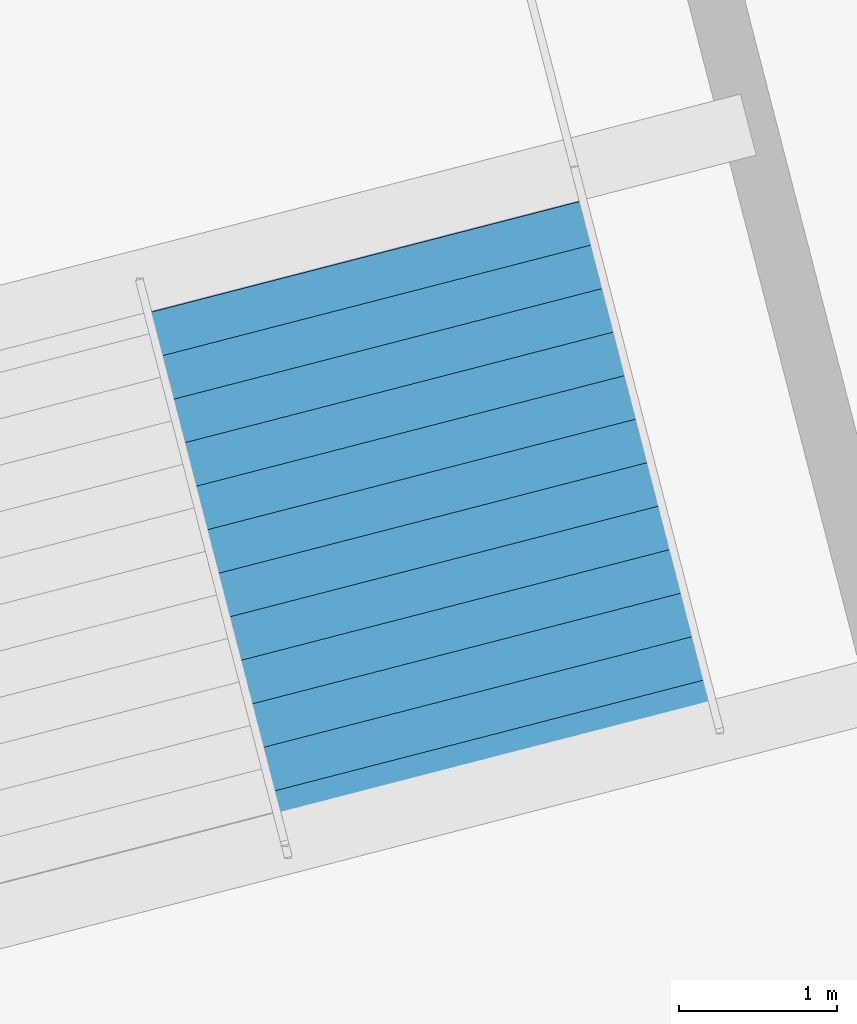
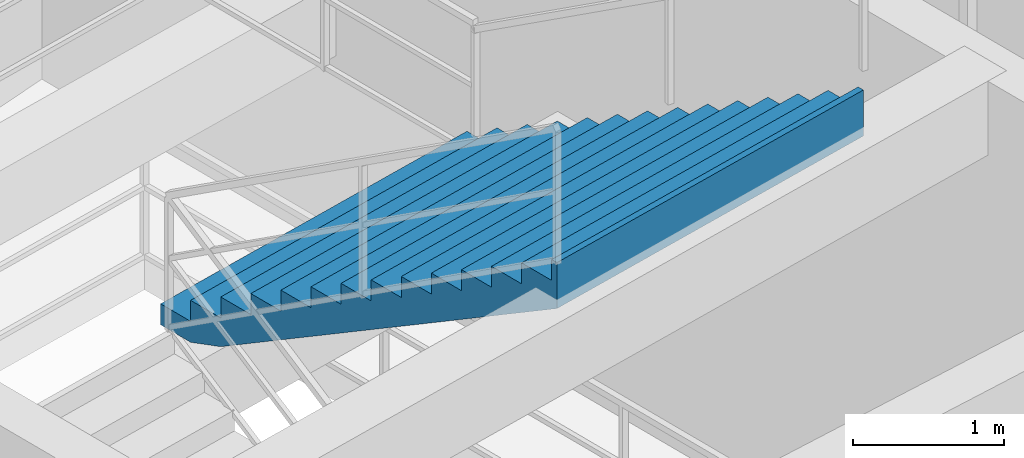
# One storey, part 153 of 171: 1 stair flight, 1 element without a shape of its own.
"""IFC4 building model written with IfcOpenShell, lengths in metres."""

from ifc_helpers import new_model, si_unit, direction, frame, origin, place, context, subcontext, project, spatial, polygons, material, type_object, element, aggregate, save


model = new_model("IFC4")

# Units and contexts
model_context = context("Model", 3, precision=1e-05, world=origin(), true_north=direction((0.0, 1.0)))
body_context = subcontext(model_context, "Body", "Model", "MODEL_VIEW")
ifc_project = project(units=[si_unit("LENGTHUNIT", "METRE"), si_unit("AREAUNIT", "SQUARE_METRE"), si_unit("VOLUMEUNIT", "CUBIC_METRE"), si_unit("PLANEANGLEUNIT", "RADIAN"), si_unit("MASSUNIT", "GRAM", prefix="KILO")], contexts=[model_context])

# Site, building, storey
site_placement = place(None, origin())
site = spatial("IfcSite", under=ifc_project, at=site_placement, CompositionType="ELEMENT")
building_placement = place(site_placement, origin())
building = spatial("IfcBuilding", under=site, at=building_placement, Name="Kazemori Nagisa Stadium", CompositionType="ELEMENT")
storey_placement = place(building_placement, frame((0.0, 0.0, 15.639892578125)))
storey = spatial("IfcBuildingStorey", under=building, at=storey_placement, Name="L03", CompositionType="ELEMENT", Elevation=15.639892578125)

# Stair, stair flight
ifc_material = material(Name="Concrete C36/45 (Fc36)", Category="concrete")
stair_type = type_object("IfcStairType", Name="Stair_CORE_28", PredefinedType="TWO_STRAIGHT_RUN_STAIR", material=ifc_material)
stair_placement = place(storey_placement, origin())
stair = element("IfcStair", 1, at=stair_placement, inside=storey, type_object=stair_type, Name="Exit stair ST07 L03", PredefinedType="TWO_STRAIGHT_RUN_STAIR")
stair_flight_type = type_object("IfcStairFlightType", Name="Flight_CORE_14", PredefinedType="STRAIGHT", material=ifc_material)
stair_flight_placement = place(storey_placement, frame((209.734130859375, 127.345703125, 2.380126953125), z_axis=(0.0, 0.0, 1.0), x_axis=(0.250001576145, -0.968245429592, 0.0)))
stair_flight = element("IfcStairFlight", 2, at=stair_flight_placement, type_object=stair_flight_type, Name="Exit stair ST07 L03 flight 2", NumberOfRisers=14, NumberOfTreads=13, PredefinedType="STRAIGHT", RiserHeight=0.17, TreadLength=0.285, context=body_context, shape_type="Tessellation", body=[
    polygons([(0.0, -1.425048828125, 0.0), (0.0, -1.425048828125, 0.169921875), (0.284912109375, -1.425048828125, 0.169921875), (0.284912109375, -1.425048828125, 0.340087890625), (0.570068359375, -1.425048828125, 0.340087890625), (0.570068359375, -1.425048828125, 0.510009765625), (0.85498046875, -1.425048828125, 0.510009765625), (0.85498046875, -1.425048828125, 0.679931640625), (1.139892578125, -1.425048828125, 0.679931640625), (1.139892578125, -1.425048828125, 0.85009765625), (1.425048828125, -1.425048828125, 0.85009765625), (1.425048828125, -1.425048828125, 1.02001953125), (1.7099609375, -1.425048828125, 1.02001953125), (1.7099609375, -1.425048828125, 1.18994140625), (1.9951171875, -1.425048828125, 1.18994140625), (1.9951171875, -1.425048828125, 1.360107421875), (2.280029296875, -1.425048828125, 1.360107421875), (2.280029296875, -1.425048828125, 1.530029296875), (2.56494140625, -1.425048828125, 1.530029296875), (2.56494140625, -1.425048828125, 1.699951171875), (2.85009765625, -1.425048828125, 1.699951171875), (2.85009765625, -1.425048828125, 1.8701171875), (3.135009765625, -1.425048828125, 1.8701171875), (3.135009765625, -1.425048828125, 2.0400390625), (3.419921875, -1.425048828125, 2.0400390625), (3.419921875, -1.425048828125, 2.2099609375), (3.705078125, -1.425048828125, 2.2099609375), (3.705078125, -1.425048828125, 2.3798828125), (3.7548828125, -1.425048828125, 2.3798828125), (3.7548828125, -1.425048828125, 2.007080078125), (3.705078125, -1.425048828125, 1.977294921875), (3.419921875, -1.425048828125, 1.80712890625), (3.135009765625, -1.425048828125, 1.63720703125), (2.85009765625, -1.425048828125, 1.46728515625), (2.56494140625, -1.425048828125, 1.297119140625), (2.280029296875, -1.425048828125, 1.127197265625), (1.9951171875, -1.425048828125, 0.957275390625), (1.7099609375, -1.425048828125, 0.787109375), (1.425048828125, -1.425048828125, 0.6171875), (1.139892578125, -1.425048828125, 0.447265625), (0.85498046875, -1.425048828125, 0.277099609375), (0.570068359375, -1.425048828125, 0.107177734375), (0.284912109375, -1.425048828125, 0.0), (0.0, -0.08544921875, 0.0), (0.0, -0.08544921875, 0.169921875), (0.284912109375, -0.08544921875, 0.169921875), (0.284912109375, -0.08544921875, 0.340087890625), (0.570068359375, -0.08544921875, 0.340087890625), (0.570068359375, -0.08544921875, 0.510009765625), (0.85498046875, -0.08544921875, 0.510009765625), (0.85498046875, -0.08544921875, 0.679931640625), (1.139892578125, -0.08544921875, 0.679931640625), (1.139892578125, -0.08544921875, 0.85009765625), (1.425048828125, -0.08544921875, 0.85009765625), (1.425048828125, -0.08544921875, 1.02001953125), (1.7099609375, -0.08544921875, 1.02001953125), (1.7099609375, -0.08544921875, 1.18994140625), (1.9951171875, -0.08544921875, 1.18994140625), (1.9951171875, -0.08544921875, 1.360107421875), (2.280029296875, -0.08544921875, 1.360107421875), (2.280029296875, -0.08544921875, 1.530029296875), (2.56494140625, -0.08544921875, 1.530029296875), (2.56494140625, -0.08544921875, 1.699951171875), (2.85009765625, -0.08544921875, 1.699951171875), (2.85009765625, -0.08544921875, 1.8701171875), (3.135009765625, -0.08544921875, 1.8701171875), (3.135009765625, -0.08544921875, 2.0400390625), (3.419921875, -0.08544921875, 2.0400390625), (3.419921875, -0.08544921875, 2.2099609375), (3.705078125, -0.08544921875, 2.2099609375), (3.705078125, -0.08544921875, 2.3798828125), (3.7548828125, -0.08544921875, 2.3798828125), (3.7548828125, -0.08544921875, 2.007080078125), (3.705078125, -0.08544921875, 1.977294921875), (3.419921875, -0.08544921875, 1.80712890625), (3.135009765625, -0.08544921875, 1.63720703125), (2.85009765625, -0.08544921875, 1.46728515625), (2.56494140625, -0.08544921875, 1.297119140625), (2.280029296875, -0.08544921875, 1.127197265625), (1.9951171875, -0.08544921875, 0.957275390625), (1.7099609375, -0.08544921875, 0.787109375), (1.425048828125, -0.08544921875, 0.6171875), (1.139892578125, -0.08544921875, 0.447265625), (0.85498046875, -0.08544921875, 0.277099609375), (0.570068359375, -0.08544921875, 0.107177734375), (0.284912109375, -0.08544921875, 0.0), (0.0, 0.0, 0.0), (0.0, 0.0, 0.169921875), (0.284912109375, 0.0, 0.169921875), (0.284912109375, 0.0, 0.340087890625), (0.570068359375, 0.0, 0.340087890625), (0.570068359375, 0.0, 0.510009765625), (0.85498046875, 0.0, 0.510009765625), (0.85498046875, 0.0, 0.679931640625), (1.139892578125, 0.0, 0.679931640625), (1.139892578125, 0.0, 0.85009765625), (1.425048828125, 0.0, 0.85009765625), (1.425048828125, 0.0, 1.02001953125), (1.7099609375, 0.0, 1.02001953125), (1.7099609375, 0.0, 1.18994140625), (1.9951171875, 0.0, 1.18994140625), (1.9951171875, 0.0, 1.360107421875), (2.280029296875, 0.0, 1.360107421875), (2.280029296875, 0.0, 1.530029296875), (2.56494140625, 0.0, 1.530029296875), (2.56494140625, 0.0, 1.699951171875), (2.85009765625, 0.0, 1.699951171875), (2.85009765625, 0.0, 1.8701171875), (3.135009765625, 0.0, 1.8701171875), (3.135009765625, 0.0, 2.0400390625), (3.419921875, 0.0, 2.0400390625), (3.419921875, 0.0, 2.2099609375), (3.705078125, 0.0, 2.2099609375), (3.705078125, 0.0, 2.3798828125), (3.7548828125, 0.0, 2.3798828125), (3.7548828125, 0.0, 2.007080078125), (3.705078125, 0.0, 1.977294921875), (3.419921875, 0.0, 1.80712890625), (3.135009765625, 0.0, 1.63720703125), (2.85009765625, 0.0, 1.46728515625), (2.56494140625, 0.0, 1.297119140625), (2.280029296875, 0.0, 1.127197265625), (1.9951171875, 0.0, 0.957275390625), (1.7099609375, 0.0, 0.787109375), (1.425048828125, 0.0, 0.6171875), (1.139892578125, 0.0, 0.447265625), (0.85498046875, 0.0, 0.277099609375), (0.570068359375, 0.0, 0.107177734375), (0.284912109375, 0.0, 0.0), (0.0, 0.08544921875, 0.0), (0.0, 0.08544921875, 0.169921875), (0.284912109375, 0.08544921875, 0.169921875), (0.284912109375, 0.08544921875, 0.340087890625), (0.570068359375, 0.08544921875, 0.340087890625), (0.570068359375, 0.08544921875, 0.510009765625), (0.85498046875, 0.08544921875, 0.510009765625), (0.85498046875, 0.08544921875, 0.679931640625), (1.139892578125, 0.08544921875, 0.679931640625), (1.139892578125, 0.08544921875, 0.85009765625), (1.425048828125, 0.08544921875, 0.85009765625), (1.425048828125, 0.08544921875, 1.02001953125), (1.7099609375, 0.08544921875, 1.02001953125), (1.7099609375, 0.08544921875, 1.18994140625), (1.9951171875, 0.08544921875, 1.18994140625), (1.9951171875, 0.08544921875, 1.360107421875), (2.280029296875, 0.08544921875, 1.360107421875), (2.280029296875, 0.08544921875, 1.530029296875), (2.56494140625, 0.08544921875, 1.530029296875), (2.56494140625, 0.08544921875, 1.699951171875), (2.85009765625, 0.08544921875, 1.699951171875), (2.85009765625, 0.08544921875, 1.8701171875), (3.135009765625, 0.08544921875, 1.8701171875), (3.135009765625, 0.08544921875, 2.0400390625), (3.419921875, 0.08544921875, 2.0400390625), (3.419921875, 0.08544921875, 2.2099609375), (3.705078125, 0.08544921875, 2.2099609375), (3.705078125, 0.08544921875, 2.3798828125), (3.7548828125, 0.08544921875, 2.3798828125), (3.7548828125, 0.08544921875, 2.007080078125), (3.705078125, 0.08544921875, 1.977294921875), (3.419921875, 0.08544921875, 1.80712890625), (3.135009765625, 0.08544921875, 1.63720703125), (2.85009765625, 0.08544921875, 1.46728515625), (2.56494140625, 0.08544921875, 1.297119140625), (2.280029296875, 0.08544921875, 1.127197265625), (1.9951171875, 0.08544921875, 0.957275390625), (1.7099609375, 0.08544921875, 0.787109375), (1.425048828125, 0.08544921875, 0.6171875), (1.139892578125, 0.08544921875, 0.447265625), (0.85498046875, 0.08544921875, 0.277099609375), (0.570068359375, 0.08544921875, 0.107177734375), (0.284912109375, 0.08544921875, 0.0), (0.0, 1.425048828125, 0.0), (0.0, 1.425048828125, 0.169921875), (0.284912109375, 1.425048828125, 0.169921875), (0.284912109375, 1.425048828125, 0.340087890625), (0.570068359375, 1.425048828125, 0.340087890625), (0.570068359375, 1.425048828125, 0.510009765625), (0.85498046875, 1.425048828125, 0.510009765625), (0.85498046875, 1.425048828125, 0.679931640625), (1.139892578125, 1.425048828125, 0.679931640625), (1.139892578125, 1.425048828125, 0.85009765625), (1.425048828125, 1.425048828125, 0.85009765625), (1.425048828125, 1.425048828125, 1.02001953125), (1.7099609375, 1.425048828125, 1.02001953125), (1.7099609375, 1.425048828125, 1.18994140625), (1.9951171875, 1.425048828125, 1.18994140625), (1.9951171875, 1.425048828125, 1.360107421875), (2.280029296875, 1.425048828125, 1.360107421875), (2.280029296875, 1.425048828125, 1.530029296875), (2.56494140625, 1.425048828125, 1.530029296875), (2.56494140625, 1.425048828125, 1.699951171875), (2.85009765625, 1.425048828125, 1.699951171875), (2.85009765625, 1.425048828125, 1.8701171875), (3.135009765625, 1.425048828125, 1.8701171875), (3.135009765625, 1.425048828125, 2.0400390625), (3.419921875, 1.425048828125, 2.0400390625), (3.419921875, 1.425048828125, 2.2099609375), (3.705078125, 1.425048828125, 2.2099609375), (3.705078125, 1.425048828125, 2.3798828125), (3.7548828125, 1.425048828125, 2.3798828125), (3.7548828125, 1.425048828125, 2.007080078125), (3.705078125, 1.425048828125, 1.977294921875), (3.419921875, 1.425048828125, 1.80712890625), (3.135009765625, 1.425048828125, 1.63720703125), (2.85009765625, 1.425048828125, 1.46728515625), (2.56494140625, 1.425048828125, 1.297119140625), (2.280029296875, 1.425048828125, 1.127197265625), (1.9951171875, 1.425048828125, 0.957275390625), (1.7099609375, 1.425048828125, 0.787109375), (1.425048828125, 1.425048828125, 0.6171875), (1.139892578125, 1.425048828125, 0.447265625), (0.85498046875, 1.425048828125, 0.277099609375), (0.570068359375, 1.425048828125, 0.107177734375), (0.284912109375, 1.425048828125, 0.0)], [[[1, 2, 45]], [[1, 45, 44]], [[2, 3, 46]], [[2, 46, 45]], [[3, 4, 47]], [[3, 47, 46]], [[4, 5, 48]], [[4, 48, 47]], [[5, 6, 49]], [[5, 49, 48]], [[6, 7, 50]], [[6, 50, 49]], [[7, 8, 51]], [[7, 51, 50]], [[8, 9, 52]], [[8, 52, 51]], [[9, 10, 53]], [[9, 53, 52]], [[10, 11, 54]], [[10, 54, 53]], [[11, 12, 55]], [[11, 55, 54]], [[12, 13, 56]], [[12, 56, 55]], [[13, 14, 57]], [[13, 57, 56]], [[14, 15, 58]], [[14, 58, 57]], [[15, 16, 59]], [[15, 59, 58]], [[16, 17, 60]], [[16, 60, 59]], [[17, 18, 61]], [[17, 61, 60]], [[18, 19, 62]], [[18, 62, 61]], [[19, 20, 63]], [[19, 63, 62]], [[20, 21, 64]], [[20, 64, 63]], [[21, 22, 65]], [[21, 65, 64]], [[22, 23, 66]], [[22, 66, 65]], [[23, 24, 67]], [[23, 67, 66]], [[24, 25, 68]], [[24, 68, 67]], [[25, 26, 69]], [[25, 69, 68]], [[26, 27, 70]], [[26, 70, 69]], [[27, 28, 71]], [[27, 71, 70]], [[28, 29, 72]], [[28, 72, 71]], [[29, 30, 73]], [[29, 73, 72]], [[30, 31, 74]], [[30, 74, 73]], [[31, 32, 75]], [[31, 75, 74]], [[32, 33, 76]], [[32, 76, 75]], [[33, 34, 77]], [[33, 77, 76]], [[34, 35, 78]], [[34, 78, 77]], [[35, 36, 79]], [[35, 79, 78]], [[36, 37, 80]], [[36, 80, 79]], [[37, 38, 81]], [[37, 81, 80]], [[38, 39, 82]], [[38, 82, 81]], [[39, 40, 83]], [[39, 83, 82]], [[40, 41, 84]], [[40, 84, 83]], [[41, 42, 85]], [[41, 85, 84]], [[42, 43, 86]], [[42, 86, 85]], [[43, 1, 44]], [[43, 44, 86]], [[44, 45, 88]], [[44, 88, 87]], [[45, 46, 89]], [[45, 89, 88]], [[46, 47, 90]], [[46, 90, 89]], [[47, 48, 91]], [[47, 91, 90]], [[48, 49, 92]], [[48, 92, 91]], [[49, 50, 93]], [[49, 93, 92]], [[50, 51, 94]], [[50, 94, 93]], [[51, 52, 95]], [[51, 95, 94]], [[52, 53, 96]], [[52, 96, 95]], [[53, 54, 97]], [[53, 97, 96]], [[54, 55, 98]], [[54, 98, 97]], [[55, 56, 99]], [[55, 99, 98]], [[56, 57, 100]], [[56, 100, 99]], [[57, 58, 101]], [[57, 101, 100]], [[58, 59, 102]], [[58, 102, 101]], [[59, 60, 103]], [[59, 103, 102]], [[60, 61, 104]], [[60, 104, 103]], [[61, 62, 105]], [[61, 105, 104]], [[62, 63, 106]], [[62, 106, 105]], [[63, 64, 107]], [[63, 107, 106]], [[64, 65, 108]], [[64, 108, 107]], [[65, 66, 109]], [[65, 109, 108]], [[66, 67, 110]], [[66, 110, 109]], [[67, 68, 111]], [[67, 111, 110]], [[68, 69, 112]], [[68, 112, 111]], [[69, 70, 113]], [[69, 113, 112]], [[70, 71, 114]], [[70, 114, 113]], [[71, 72, 115]], [[71, 115, 114]], [[72, 73, 116]], [[72, 116, 115]], [[73, 74, 117]], [[73, 117, 116]], [[74, 75, 118]], [[74, 118, 117]], [[75, 76, 119]], [[75, 119, 118]], [[76, 77, 120]], [[76, 120, 119]], [[77, 78, 121]], [[77, 121, 120]], [[78, 79, 122]], [[78, 122, 121]], [[79, 80, 123]], [[79, 123, 122]], [[80, 81, 124]], [[80, 124, 123]], [[81, 82, 125]], [[81, 125, 124]], [[82, 83, 126]], [[82, 126, 125]], [[83, 84, 127]], [[83, 127, 126]], [[84, 85, 128]], [[84, 128, 127]], [[85, 86, 129]], [[85, 129, 128]], [[86, 44, 87]], [[86, 87, 129]], [[87, 88, 131]], [[87, 131, 130]], [[88, 89, 132]], [[88, 132, 131]], [[89, 90, 133]], [[89, 133, 132]], [[90, 91, 134]], [[90, 134, 133]], [[91, 92, 135]], [[91, 135, 134]], [[92, 93, 136]], [[92, 136, 135]], [[93, 94, 137]], [[93, 137, 136]], [[94, 95, 138]], [[94, 138, 137]], [[95, 96, 139]], [[95, 139, 138]], [[96, 97, 140]], [[96, 140, 139]], [[97, 98, 141]], [[97, 141, 140]], [[98, 99, 142]], [[98, 142, 141]], [[99, 100, 143]], [[99, 143, 142]], [[100, 101, 144]], [[100, 144, 143]], [[101, 102, 145]], [[101, 145, 144]], [[102, 103, 146]], [[102, 146, 145]], [[103, 104, 147]], [[103, 147, 146]], [[104, 105, 148]], [[104, 148, 147]], [[105, 106, 149]], [[105, 149, 148]], [[106, 107, 150]], [[106, 150, 149]], [[107, 108, 151]], [[107, 151, 150]], [[108, 109, 152]], [[108, 152, 151]], [[109, 110, 153]], [[109, 153, 152]], [[110, 111, 154]], [[110, 154, 153]], [[111, 112, 155]], [[111, 155, 154]], [[112, 113, 156]], [[112, 156, 155]], [[113, 114, 157]], [[113, 157, 156]], [[114, 115, 158]], [[114, 158, 157]], [[115, 116, 159]], [[115, 159, 158]], [[116, 117, 160]], [[116, 160, 159]], [[117, 118, 161]], [[117, 161, 160]], [[118, 119, 162]], [[118, 162, 161]], [[119, 120, 163]], [[119, 163, 162]], [[120, 121, 164]], [[120, 164, 163]], [[121, 122, 165]], [[121, 165, 164]], [[122, 123, 166]], [[122, 166, 165]], [[123, 124, 167]], [[123, 167, 166]], [[124, 125, 168]], [[124, 168, 167]], [[125, 126, 169]], [[125, 169, 168]], [[126, 127, 170]], [[126, 170, 169]], [[127, 128, 171]], [[127, 171, 170]], [[128, 129, 172]], [[128, 172, 171]], [[129, 87, 130]], [[129, 130, 172]], [[130, 131, 174]], [[130, 174, 173]], [[131, 132, 175]], [[131, 175, 174]], [[132, 133, 176]], [[132, 176, 175]], [[133, 134, 177]], [[133, 177, 176]], [[134, 135, 178]], [[134, 178, 177]], [[135, 136, 179]], [[135, 179, 178]], [[136, 137, 180]], [[136, 180, 179]], [[137, 138, 181]], [[137, 181, 180]], [[138, 139, 182]], [[138, 182, 181]], [[139, 140, 183]], [[139, 183, 182]], [[140, 141, 184]], [[140, 184, 183]], [[141, 142, 185]], [[141, 185, 184]], [[142, 143, 186]], [[142, 186, 185]], [[143, 144, 187]], [[143, 187, 186]], [[144, 145, 188]], [[144, 188, 187]], [[145, 146, 189]], [[145, 189, 188]], [[146, 147, 190]], [[146, 190, 189]], [[147, 148, 191]], [[147, 191, 190]], [[148, 149, 192]], [[148, 192, 191]], [[149, 150, 193]], [[149, 193, 192]], [[150, 151, 194]], [[150, 194, 193]], [[151, 152, 195]], [[151, 195, 194]], [[152, 153, 196]], [[152, 196, 195]], [[153, 154, 197]], [[153, 197, 196]], [[154, 155, 198]], [[154, 198, 197]], [[155, 156, 199]], [[155, 199, 198]], [[156, 157, 200]], [[156, 200, 199]], [[157, 158, 201]], [[157, 201, 200]], [[158, 159, 202]], [[158, 202, 201]], [[159, 160, 203]], [[159, 203, 202]], [[160, 161, 204]], [[160, 204, 203]], [[161, 162, 205]], [[161, 205, 204]], [[162, 163, 206]], [[162, 206, 205]], [[163, 164, 207]], [[163, 207, 206]], [[164, 165, 208]], [[164, 208, 207]], [[165, 166, 209]], [[165, 209, 208]], [[166, 167, 210]], [[166, 210, 209]], [[167, 168, 211]], [[167, 211, 210]], [[168, 169, 212]], [[168, 212, 211]], [[169, 170, 213]], [[169, 213, 212]], [[170, 171, 214]], [[170, 214, 213]], [[171, 172, 215]], [[171, 215, 214]], [[172, 130, 173]], [[172, 173, 215]], [[3, 2, 1]], [[173, 174, 175]], [[43, 3, 1]], [[173, 175, 215]], [[42, 3, 43]], [[215, 175, 214]], [[5, 3, 42]], [[214, 175, 177]], [[5, 4, 3]], [[175, 176, 177]], [[41, 5, 42]], [[214, 177, 213]], [[7, 5, 41]], [[213, 177, 179]], [[7, 6, 5]], [[177, 178, 179]], [[40, 7, 41]], [[213, 179, 212]], [[9, 7, 40]], [[212, 179, 181]], [[9, 8, 7]], [[179, 180, 181]], [[39, 9, 40]], [[212, 181, 211]], [[11, 9, 39]], [[211, 181, 183]], [[11, 10, 9]], [[181, 182, 183]], [[38, 11, 39]], [[211, 183, 210]], [[13, 11, 38]], [[210, 183, 185]], [[13, 12, 11]], [[183, 184, 185]], [[37, 13, 38]], [[210, 185, 209]], [[15, 13, 37]], [[209, 185, 187]], [[15, 14, 13]], [[185, 186, 187]], [[36, 15, 37]], [[209, 187, 208]], [[17, 15, 36]], [[208, 187, 189]], [[17, 16, 15]], [[187, 188, 189]], [[35, 17, 36]], [[208, 189, 207]], [[19, 17, 35]], [[207, 189, 191]], [[19, 18, 17]], [[189, 190, 191]], [[34, 19, 35]], [[207, 191, 206]], [[21, 19, 34]], [[206, 191, 193]], [[21, 20, 19]], [[191, 192, 193]], [[33, 21, 34]], [[206, 193, 205]], [[23, 21, 33]], [[205, 193, 195]], [[23, 22, 21]], [[193, 194, 195]], [[32, 23, 33]], [[205, 195, 204]], [[25, 23, 32]], [[204, 195, 197]], [[25, 24, 23]], [[195, 196, 197]], [[31, 25, 32]], [[204, 197, 203]], [[27, 25, 31]], [[203, 197, 199]], [[27, 26, 25]], [[197, 198, 199]], [[30, 27, 31]], [[203, 199, 202]], [[29, 27, 30]], [[202, 199, 201]], [[29, 28, 27]], [[199, 200, 201]]], closed=True),
])
aggregate(stair, [stair_flight])

save(model, "model.ifc")
